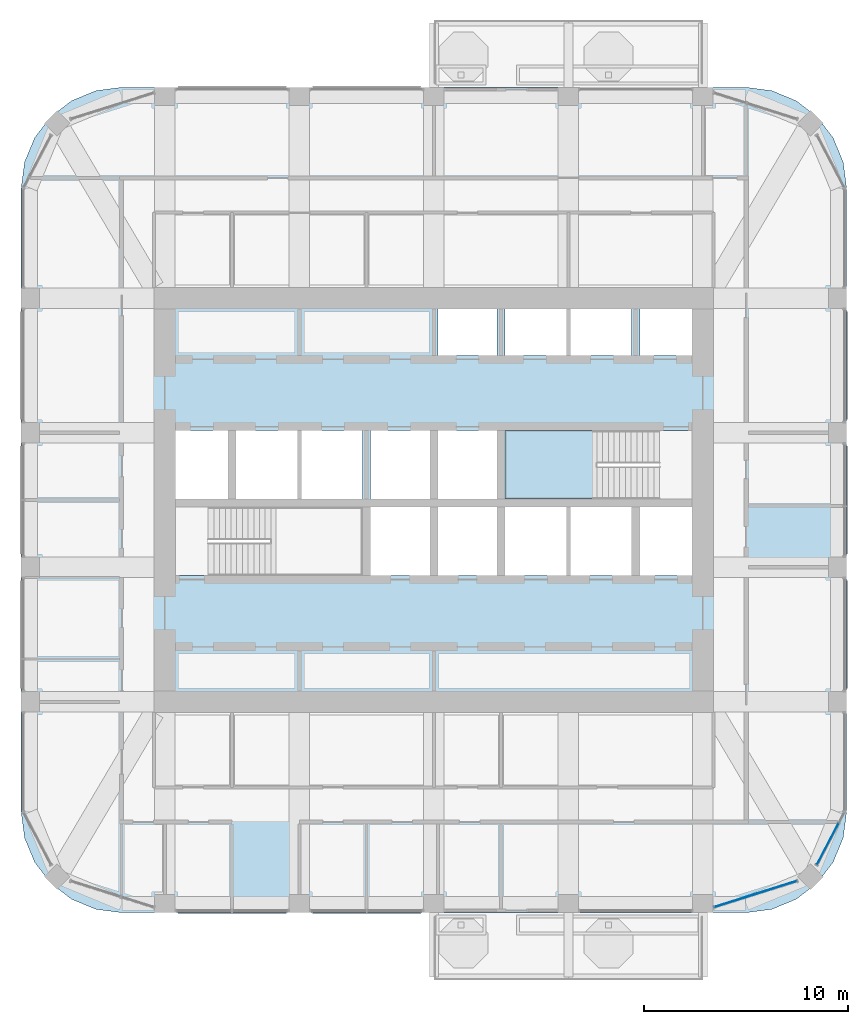
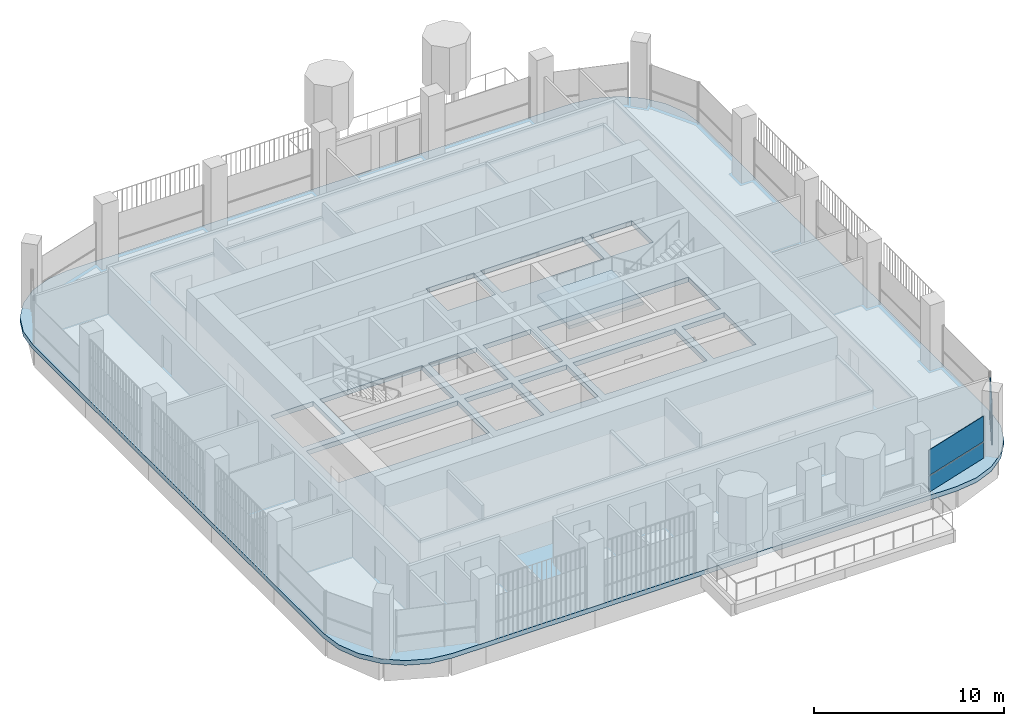
# One storey, part 10 of 21: 4 plates, 2 slabs, 3 elements without a shape of their own.
"""IFC4 building model written with IfcOpenShell, lengths in metres."""

import ifcopenshell
import ifcopenshell.guid

model = None  # the IFC model being written
_history = None  # IfcOwnerHistory: only IFC2X3 demands one
_inside = {}  # id of a spatial element -> (the spatial element, [elements in it])
_under = {}  # id of a project, library or spatial element -> (it, [spatial elements below it])
_declared = {}  # id of a project -> (the project, [libraries it declares])
_typed = {}  # id of a type object -> (the type object, [elements of that type])
_made_of = {}  # id of a material, layer set ... -> (it, [elements and type objects made of it])


def new_model(schema):
    """Start an empty IFC model of exactly this schema.

    Asked for "IFC4X3", IfcOpenShell would pick the latest addendum, in which some entities
    have other attributes; the version numbers below select the first issue.
    IFC2X3 requires an IfcOwnerHistory on every rooted entity: one is made here for all.
    """
    global model, _history
    if schema == "IFC4X3":
        model = ifcopenshell.file(schema_version=(4, 3, 0, 0))
    else:
        model = ifcopenshell.file(schema=schema)
    _inside.clear()
    _under.clear()
    _declared.clear()
    _typed.clear()
    _made_of.clear()
    _history = None
    if model.schema == "IFC2X3":
        org = make("IfcOrganization", Name="unknown")
        user = make(
            "IfcPersonAndOrganization",
            ThePerson=make("IfcPerson", FamilyName="unknown"),
            TheOrganization=org,
        )
        app = make(
            "IfcApplication",
            ApplicationDeveloper=org,
            Version="unknown",
            ApplicationFullName="unknown",
            ApplicationIdentifier="unknown",
        )
        _history = make(
            "IfcOwnerHistory",
            OwningUser=user,
            OwningApplication=app,
            ChangeAction="ADDED",
            CreationDate=0,
        )
    return model


def make(cls, **values):
    """One entity of the class cls with the attributes given. An attribute that is None is left unset."""
    return model.create_entity(
        cls, **{name: value for name, value in values.items() if value is not None}
    )


def rooted(cls, **values):
    """An entity with a GlobalId (a new one), such as an element, a storey or a relation."""
    return make(cls, GlobalId=ifcopenshell.guid.new(), OwnerHistory=_history, **values)


def si_unit(unit_type, name, prefix=None):
    """IfcSIUnit, for example si_unit("LENGTHUNIT", "METRE", prefix="MILLI")."""
    return make("IfcSIUnit", UnitType=unit_type, Prefix=prefix, Name=name)


def assignment(units):
    """IfcUnitAssignment: the units of a project."""
    return None if units is None else make("IfcUnitAssignment", Units=units)


def point(xyz):
    """IfcCartesianPoint."""
    return None if xyz is None else make("IfcCartesianPoint", Coordinates=xyz)


def direction(xyz):
    """IfcDirection."""
    return None if xyz is None else make("IfcDirection", DirectionRatios=xyz)


def frame(location, z_axis=None, x_axis=None):
    """IfcAxis2Placement3D, a coordinate frame: its origin and axes. An axis left out is left unset."""
    return make(
        "IfcAxis2Placement3D",
        Location=point(location),
        Axis=direction(z_axis),
        RefDirection=direction(x_axis),
    )


def frame_2d(location, x_axis=None):
    """IfcAxis2Placement2D, a coordinate frame in the plane: its origin and x axis."""
    return make(
        "IfcAxis2Placement2D", Location=point(location), RefDirection=direction(x_axis)
    )


def origin():
    """The frame at (0, 0, 0) with its axes left unset."""
    return frame((0.0, 0.0, 0.0))


def origin_2d():
    """The frame at (0, 0) in the plane with its x axis left unset."""
    return frame_2d((0.0, 0.0))


def place(relative_to, where):
    """IfcLocalPlacement: puts the frame where relative to a parent placement (None: the world)."""
    return make(
        "IfcLocalPlacement", PlacementRelTo=relative_to, RelativePlacement=where
    )


def context(
    kind, dimensions, precision=None, world=None, true_north=None, identifier=None
):
    """IfcGeometricRepresentationContext, for example the 3D "Model" context."""
    return make(
        "IfcGeometricRepresentationContext",
        ContextIdentifier=identifier,
        ContextType=kind,
        CoordinateSpaceDimension=dimensions,
        Precision=precision,
        WorldCoordinateSystem=world,
        TrueNorth=true_north,
    )


def subcontext(parent, identifier, kind, view, scale=None):
    """IfcGeometricRepresentationSubContext, for example "Body" below "Model"."""
    return make(
        "IfcGeometricRepresentationSubContext",
        ContextIdentifier=identifier,
        ContextType=kind,
        ParentContext=parent,
        TargetScale=scale,
        TargetView=view,
    )


def project(units=None, contexts=None):
    """IfcProject with its units and contexts."""
    return rooted(
        "IfcProject",
        Name="project",
        RepresentationContexts=contexts,
        UnitsInContext=assignment(units),
    )


def spatial(cls, under=None, at=None, **own):
    """A site, building, storey or space (cls), placed at a placement, below another one or the project."""
    s = rooted(cls, ObjectPlacement=at, **own)
    if under is not None:
        _under.setdefault(under.id(), (under, []))[1].append(s)
    return s


def polyline(points):
    """IfcPolyline through the points."""
    return make("IfcPolyline", Points=[point(p) for p in points])


def profile(cls, at=None, kind="AREA", **sizes):
    """A parametric profile (cls). Its sizes go by their IFC names, for example OverallWidth=200.0."""
    return make(cls, ProfileType=kind, Position=at, **sizes)


def rectangle(**sizes):
    """IfcRectangleProfileDef."""
    return profile("IfcRectangleProfileDef", **sizes)


def outline(outer, holes=None, kind="AREA"):
    """IfcArbitraryClosedProfileDef: a profile drawn as a closed curve; with holes, ...WithVoids."""
    if holes is None:
        return make("IfcArbitraryClosedProfileDef", ProfileType=kind, OuterCurve=outer)
    return make(
        "IfcArbitraryProfileDefWithVoids",
        ProfileType=kind,
        OuterCurve=outer,
        InnerCurves=holes,
    )


def extrude(swept, where, along, depth):
    """IfcExtrudedAreaSolid: the profile swept, set in the frame where, extruded along a direction by depth."""
    return make(
        "IfcExtrudedAreaSolid",
        SweptArea=swept,
        Position=where,
        ExtrudedDirection=direction(along),
        Depth=depth,
    )


def shape(context_of_items, identifier, shape_type, items):
    """IfcShapeRepresentation: the items that make up one representation, for example the "Body"."""
    return make(
        "IfcShapeRepresentation",
        ContextOfItems=context_of_items,
        RepresentationIdentifier=identifier,
        RepresentationType=shape_type,
        Items=items,
    )


def material(Name=None, Category=None):
    """IfcMaterial."""
    return make("IfcMaterial", Name=Name, Category=Category)


def layer(
    of_material, thickness, ventilated=None, Name=None, Category=None, Priority=None
):
    """IfcMaterialLayer: one layer of a wall or slab, of a material (None: an air gap)."""
    return make(
        "IfcMaterialLayer",
        Material=of_material,
        LayerThickness=thickness,
        IsVentilated=ventilated,
        Name=Name,
        Category=Category,
        Priority=Priority,
    )


def layer_set(layers, Name=None):
    """IfcMaterialLayerSet."""
    return make("IfcMaterialLayerSet", MaterialLayers=layers, LayerSetName=Name)


def made_of(thing, what):
    """Note that an element or type object is made of a material, layer set ...; save() writes the relation."""
    if what is not None:
        _made_of.setdefault(what.id(), (what, []))[1].append(thing)
    return thing


def type_object(cls, material=None, **own):
    """A type object (cls), such as IfcWallType, which elements share."""
    return made_of(rooted(cls, **own), material)


def element(
    cls,
    number,
    at=None,
    inside=None,
    cuts=None,
    type_object=None,
    material=None,
    context=None,
    identifier="Body",
    shape_type=None,
    held_by="IfcProductDefinitionShape",
    body=None,
    shapes=None,
    **own,
):
    """One element of the class cls, such as IfcWall. Its Tag is "e" and its number.

    at: its placement. inside: the storey or other place that contains it. cuts: it is an
    opening in that element (IfcRelVoidsElement). A single representation is given by context,
    identifier, shape_type and body (its items); several are given by shapes. held_by: the class
    of the entity that holds the representations. save() writes the other relations.
    """
    e = rooted(cls, Tag="e%d" % number, ObjectPlacement=at, **own)
    if body is not None:
        shapes = [shape(context, identifier, shape_type, body)]
    if shapes is not None:
        e.Representation = make(held_by, Representations=shapes)
    if inside is not None:
        _inside.setdefault(inside.id(), (inside, []))[1].append(e)
    if cuts is not None:
        rooted(
            "IfcRelVoidsElement", RelatingBuildingElement=cuts, RelatedOpeningElement=e
        )
    if type_object is not None:
        _typed.setdefault(type_object.id(), (type_object, []))[1].append(e)
    return made_of(e, material)


def aggregate(whole, parts):
    """IfcRelAggregates: a whole, such as a stair, and the parts it consists of."""
    return rooted("IfcRelAggregates", RelatingObject=whole, RelatedObjects=parts)


def save(model, path):
    """Write the relations noted so far, then the file.

    IfcRelAggregates (storeys below a building ...), IfcRelContainedInSpatialStructure (elements
    in a storey), IfcRelDefinesByType, IfcRelAssociatesMaterial and IfcRelDeclares: one each for
    every whole, place, type object, material and project.
    """
    for whole, parts in _under.values():
        aggregate(whole, parts)
    for where, things in _inside.values():
        rooted(
            "IfcRelContainedInSpatialStructure",
            RelatedElements=things,
            RelatingStructure=where,
        )
    for kind, things in _typed.values():
        rooted("IfcRelDefinesByType", RelatedObjects=things, RelatingType=kind)
    for what, things in _made_of.values():
        rooted("IfcRelAssociatesMaterial", RelatedObjects=things, RelatingMaterial=what)
    for by, libraries in _declared.values():
        rooted("IfcRelDeclares", RelatingContext=by, RelatedDefinitions=libraries)
    model.write(path)


model = new_model("IFC4")

# Units and contexts
model_context = context("Model", 3, precision=1e-05, world=origin(), true_north=direction((0.0, 1.0)))
body_context = subcontext(model_context, "Body", "Model", "MODEL_VIEW")
ifc_project = project(units=[si_unit("LENGTHUNIT", "METRE"), si_unit("AREAUNIT", "SQUARE_METRE"), si_unit("VOLUMEUNIT", "CUBIC_METRE"), si_unit("PLANEANGLEUNIT", "RADIAN"), si_unit("MASSUNIT", "GRAM", prefix="KILO")], contexts=[model_context])

# Site, building, storey
site_placement = place(None, origin())
site = spatial("IfcSite", under=ifc_project, at=site_placement, CompositionType="ELEMENT")
building_placement = place(site_placement, origin())
building = spatial("IfcBuilding", under=site, at=building_placement, Name="Cobogo Forest Laboratory Tower", CompositionType="ELEMENT")
storey_placement = place(building_placement, frame((0.0, 0.0, 258.60009765625)))
storey = spatial("IfcBuildingStorey", under=building, at=storey_placement, Name="L59", CompositionType="ELEMENT", Elevation=258.60009765625)

# Slab
ifc_material_1 = material(Name="Concrete HA-40 (C40/50)", Category="concrete")
ifc_layer_1 = layer(ifc_material_1, 0.300048828125)
ifc_layer_set_1 = layer_set([ifc_layer_1], Name="Floor slab 300")
slab_type_1 = type_object("IfcSlabType", Name="Floor slab 300", PredefinedType="FLOOR", material=ifc_layer_set_1)
slab_1_placement = place(storey_placement, frame((0.0, 0.0, -0.300048828125)))
element("IfcSlab", 1, at=slab_1_placement, inside=storey, type_object=slab_type_1, Name="L59 floor slab", PredefinedType="FLOOR", context=body_context, shape_type="SweptSolid", body=[
    extrude(outline(polyline([(41.699951171875, 2.85009765625), (42.981201171875, 3.0185546875), (44.175048828125, 3.51318359375), (45.2001953125, 4.2998046875), (45.98681640625, 5.324951171875), (46.4814453125, 6.518798828125), (46.64990234375, 7.800048828125), (46.64990234375, 38.39990234375), (46.4814453125, 39.68115234375), (45.98681640625, 40.875), (45.2001953125, 41.900146484375), (44.175048828125, 42.686767578125), (42.981201171875, 43.181396484375), (41.699951171875, 43.35009765625), (11.10009765625, 43.35009765625), (9.81884765625, 43.181396484375), (8.625, 42.686767578125), (7.599853515625, 41.900146484375), (6.813232421875, 40.875), (6.318603515625, 39.68115234375), (6.14990234375, 38.39990234375), (6.14990234375, 7.800048828125), (6.318603515625, 6.518798828125), (6.813232421875, 5.324951171875), (7.599853515625, 4.2998046875), (8.625, 3.51318359375), (9.81884765625, 3.0185546875), (11.10009765625, 2.85009765625), (41.699951171875, 2.85009765625)]), holes=[polyline([(22.89990234375, 19.39990234375), (13.72509765625, 19.39990234375), (13.72509765625, 22.75), (22.89990234375, 22.75), (22.89990234375, 19.39990234375)]), polyline([(26.199951171875, 19.39990234375), (23.300048828125, 19.39990234375), (23.300048828125, 22.75), (26.199951171875, 22.75), (26.199951171875, 19.39990234375)]), polyline([(29.5, 19.39990234375), (26.60009765625, 19.39990234375), (26.60009765625, 22.75), (29.5, 22.75), (29.5, 19.39990234375)]), polyline([(36.10009765625, 22.75), (36.10009765625, 19.39990234375), (29.89990234375, 19.39990234375), (29.89990234375, 22.75), (36.10009765625, 22.75)]), polyline([(39.074951171875, 19.39990234375), (36.5, 19.39990234375), (36.5, 22.75), (39.074951171875, 22.75), (39.074951171875, 19.39990234375)]), polyline([(16.300048828125, 23.14990234375), (13.72509765625, 23.14990234375), (13.72509765625, 26.5), (16.300048828125, 26.5), (16.300048828125, 23.14990234375)]), polyline([(22.89990234375, 26.5), (22.89990234375, 23.14990234375), (16.699951171875, 23.14990234375), (16.699951171875, 26.5), (22.89990234375, 26.5)]), polyline([(26.199951171875, 23.14990234375), (23.300048828125, 23.14990234375), (23.300048828125, 26.5), (26.199951171875, 26.5), (26.199951171875, 23.14990234375)]), polyline([(29.5, 23.14990234375), (26.60009765625, 23.14990234375), (26.60009765625, 26.5), (29.5, 26.5), (29.5, 23.14990234375)]), polyline([(39.074951171875, 23.14990234375), (29.89990234375, 23.14990234375), (29.89990234375, 26.5), (39.074951171875, 26.5), (39.074951171875, 23.14990234375)]), polyline([(29.5, 30.199951171875), (26.60009765625, 30.199951171875), (26.60009765625, 32.47509765625), (29.5, 32.47509765625), (29.5, 30.199951171875)]), polyline([(36.10009765625, 32.47509765625), (36.10009765625, 30.199951171875), (29.89990234375, 30.199951171875), (29.89990234375, 32.47509765625), (36.10009765625, 32.47509765625)]), polyline([(39.074951171875, 30.199951171875), (36.5, 30.199951171875), (36.5, 32.47509765625), (39.074951171875, 32.47509765625), (39.074951171875, 30.199951171875)])]), origin(), (0.0, 0.0, 1.0), 0.300048828125),
])

# Curtain wall, plates
ifc_material_2 = material(Name="Aluminium curtain wall", Category="aluminium")
curtain_wall_type = type_object("IfcCurtainWallType", Name="CW-2 unitised curtain wall, solar control glazing, laboratory floors zones C and D", PredefinedType="USERDEFINED", material=ifc_material_2)
curtain_wall_1_placement = place(storey_placement, origin())
curtain_wall_1 = element("IfcCurtainWall", 2, at=curtain_wall_1_placement, inside=storey, type_object=curtain_wall_type, Name="Curtain wall 05 L59", ObjectType="UNITISED CURTAIN WALL", PredefinedType="USERDEFINED")
ifc_material_3 = material(Name="Solar control insulated glass", Category="glass")
ifc_layer_2 = layer(ifc_material_3, 0.031982421875)
ifc_layer_set_2 = layer_set([ifc_layer_2], Name="GP-2 solar control glass unit 32")
plate_type = type_object("IfcPlateType", Name="GP-2 solar control glass unit 32", PredefinedType="CURTAIN_PANEL", material=ifc_layer_set_2)
plate_1_placement = place(storey_placement, frame((42.17919921875, 3.7646484375, 0.0), z_axis=(0.0, 0.0, 1.0), x_axis=(0.953581379409, 0.301135439371, 0.0)))
plate_1 = element("IfcPlate", 3, at=plate_1_placement, type_object=plate_type, Name="CW-2 panel 1.1", PredefinedType="CURTAIN_PANEL", context=body_context, shape_type="SweptSolid", body=[
    extrude(rectangle(XDim=4.240966796875, YDim=0.031982421875, at=origin_2d()), origin(), (0.0, 0.0, 1.0), 1.02001953125),
])
plate_2_placement = place(storey_placement, frame((42.17919921875, 3.7646484375, 1.079833984375), z_axis=(0.0, 0.0, 1.0), x_axis=(0.953581379409, 0.301135439371, 0.0)))
plate_2 = element("IfcPlate", 4, at=plate_2_placement, type_object=plate_type, Name="CW-2 panel 1.2", PredefinedType="CURTAIN_PANEL", context=body_context, shape_type="SweptSolid", body=[
    extrude(rectangle(XDim=4.240966796875, YDim=0.031982421875, at=origin_2d()), origin(), (0.0, 0.0, 1.0), 1.6201171875),
])
aggregate(curtain_wall_1, [plate_1, plate_2])

curtain_wall_2_placement = place(storey_placement, origin())
curtain_wall_2 = element("IfcCurtainWall", 5, at=curtain_wall_2_placement, inside=storey, type_object=curtain_wall_type, Name="Curtain wall 06 L59", ObjectType="UNITISED CURTAIN WALL", PredefinedType="USERDEFINED")
plate_3_placement = place(storey_placement, frame((45.72314453125, 6.222900390625, 0.0), z_axis=(0.0, 0.0, 1.0), x_axis=(0.464283778337, 0.885686498245, 0.0)))
plate_3 = element("IfcPlate", 6, at=plate_3_placement, type_object=plate_type, Name="CW-2 panel 1.1", PredefinedType="CURTAIN_PANEL", context=body_context, shape_type="SweptSolid", body=[
    extrude(rectangle(XDim=2.28857421875, YDim=0.031982421875, at=origin_2d()), origin(), (0.0, 0.0, 1.0), 1.02001953125),
])
plate_4_placement = place(storey_placement, frame((45.72314453125, 6.222900390625, 1.079833984375), z_axis=(0.0, 0.0, 1.0), x_axis=(0.464283778337, 0.885686498245, 0.0)))
plate_4 = element("IfcPlate", 7, at=plate_4_placement, type_object=plate_type, Name="CW-2 panel 1.2", PredefinedType="CURTAIN_PANEL", context=body_context, shape_type="SweptSolid", body=[
    extrude(rectangle(XDim=2.28857421875, YDim=0.031982421875, at=origin_2d()), origin(), (0.0, 0.0, 1.0), 1.6201171875),
])
aggregate(curtain_wall_2, [plate_3, plate_4])

# Stair, slab
ifc_material_4 = material(Name="Precast concrete HA-40 (C40/50)", Category="concrete")
stair_type = type_object("IfcStairType", Name="ST24 exit stair 24 risers", PredefinedType="HALF_TURN_STAIR", material=ifc_material_4)
stair_placement = place(storey_placement, origin())
stair = element("IfcStair", 8, at=stair_placement, inside=storey, type_object=stair_type, Name="Stair 2 L59 to L60", PredefinedType="HALF_TURN_STAIR")
ifc_layer_3 = layer(ifc_material_1, 0.199951171875)
ifc_layer_set_3 = layer_set([ifc_layer_3], Name="SL stair landing 200")
slab_type_2 = type_object("IfcSlabType", Name="SL stair landing 200", PredefinedType="LANDING", material=ifc_layer_set_3)
slab_2_placement = place(storey_placement, frame((0.0, 0.0, 1.89990234375)))
slab_2 = element("IfcSlab", 9, at=slab_2_placement, type_object=slab_type_2, Name="ST2 landing 2", PredefinedType="LANDING", context=body_context, shape_type="SweptSolid", body=[
    extrude(outline(polyline([(29.89990234375, 23.14990234375), (34.39697265625, 23.14990234375), (34.39697265625, 26.5), (29.89990234375, 26.5), (29.89990234375, 23.14990234375)])), origin(), (0.0, 0.0, 1.0), 0.199951171875),
])
aggregate(stair, [slab_2])

save(model, "model.ifc")
